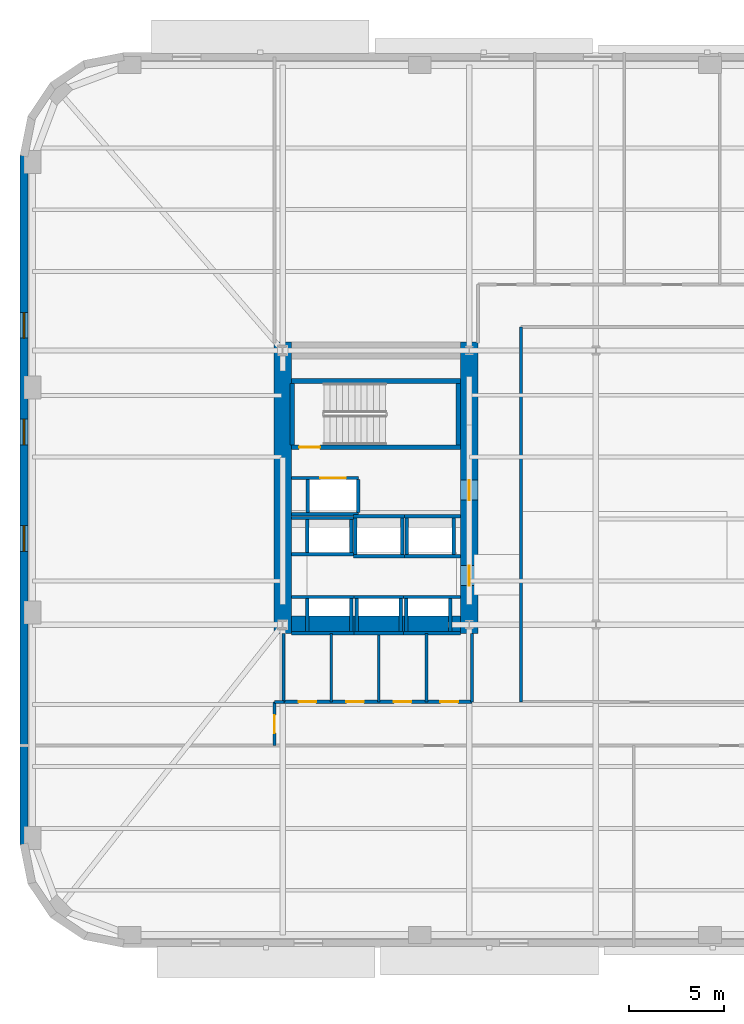
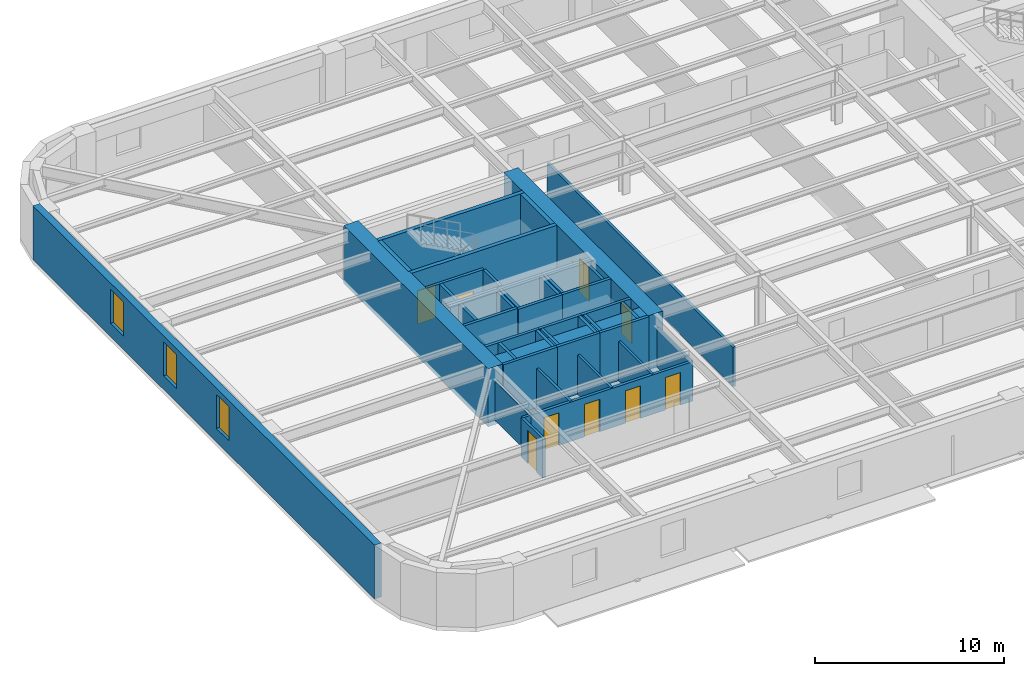
# One storey, part 4 of 15: 45 walls, 9 doors, 3 windows, 12 openings.
"""IFC4 building model written with IfcOpenShell, lengths in metres."""

from ifc_helpers import new_model, si_unit, direction, frame, frame_2d, origin, place, context, subcontext, project, spatial, rectangle, extrude, material, layer, layer_set, type_object, element, fill, save


model = new_model("IFC4")

# Units and contexts
model_context = context("Model", 3, precision=1e-05, world=origin(), true_north=direction((0.0, 1.0)))
body_context = subcontext(model_context, "Body", "Model", "MODEL_VIEW")
ifc_project = project(units=[si_unit("LENGTHUNIT", "METRE"), si_unit("AREAUNIT", "SQUARE_METRE"), si_unit("VOLUMEUNIT", "CUBIC_METRE"), si_unit("PLANEANGLEUNIT", "RADIAN"), si_unit("MASSUNIT", "GRAM", prefix="KILO")], contexts=[model_context])

# Site, building, storey
site_placement = place(None, origin())
site = spatial("IfcSite", under=ifc_project, at=site_placement, CompositionType="ELEMENT")
building_placement = place(site_placement, origin())
building = spatial("IfcBuilding", under=site, at=building_placement, Name="Kolvaren Arena Tower", CompositionType="ELEMENT")
storey_placement = place(building_placement, frame((0.0, 0.0, 68.25)))
storey = spatial("IfcBuildingStorey", under=building, at=storey_placement, Name="L14", CompositionType="ELEMENT", Elevation=68.25)

# Wall
ifc_material_1 = material(Name="Gypsum board acoustic assembly", Category="gypsum")
ifc_layer_1 = layer(ifc_material_1, 0.159912109375)
ifc_layer_set_1 = layer_set([ifc_layer_1], Name="Gypsum board acoustic assembly")
wall_type_1 = type_object("IfcWallType", Name="CORR-160", PredefinedType="PARTITIONING", material=ifc_layer_set_1)
wall_1_placement = place(storey_placement, frame((27.080078125, 15.3798828125, 0.0), z_axis=(0.0, 0.0, 1.0), x_axis=(0.0, 1.0, 0.0)))
element("IfcWall", 1, at=wall_1_placement, inside=storey, type_object=wall_type_1, Name="Interior Partition Wall (L14)", PredefinedType="PARTITIONING", context=body_context, shape_type="SweptSolid", body=[
    extrude(rectangle(XDim=19.7001953125, YDim=0.159912109375, at=frame_2d((9.85009765625, 0.0))), origin(), (0.0, 0.0, 1.0), 2.5400390625),
])

# Wall, opening, door
wall_2_placement = place(storey_placement, frame((14.1201171875, 13.10009765625, 0.0), z_axis=(0.0, 0.0, 1.0), x_axis=(0.0, 1.0, 0.0)))
wall_2 = element("IfcWall", 2, at=wall_2_placement, inside=storey, type_object=wall_type_1, Name="Interior Partition Wall (L14)", PredefinedType="PARTITIONING", context=body_context, shape_type="SweptSolid", body=[
    extrude(rectangle(XDim=2.2998046875, YDim=0.159912109375, at=frame_2d((1.14990234375, 0.0))), origin(), (0.0, 0.0, 1.0), 2.5400390625),
])
opening_1_placement = place(wall_2_placement, frame((0.64990234375, 0.0, 0.0)))
opening_1 = element("IfcOpeningElement", 3, at=opening_1_placement, cuts=wall_2, Name="Opening D05", PredefinedType="OPENING", context=body_context, shape_type="SweptSolid", body=[
    extrude(rectangle(XDim=0.949951171875, YDim=2.14990234375, at=frame_2d((0.47509765625, 1.074951171875))), frame((0.0, 0.08984375, 0.0), z_axis=(0.0, -1.0, 0.0), x_axis=(1.0, 0.0, 0.0)), (0.0, 0.0, 1.0), 0.179931640625),
])
ifc_material_2 = material(Name="Solid-core oak acoustic office door", Category="wood")
door_type_1 = type_object("IfcDoorType", Name="DOOR-OF-095", OperationType="NOTDEFINED", PredefinedType="DOOR", material=ifc_material_2)
door_1_placement = place(opening_1_placement, origin())
door_1 = element("IfcDoor", 4, at=door_1_placement, inside=storey, type_object=door_type_1, Name="West Wing Office Door (L14)", OperationType="SINGLE_SWING_LEFT", OverallHeight=2.14990234375, OverallWidth=0.949951171875, PredefinedType="DOOR", context=body_context, shape_type="SweptSolid", body=[
    extrude(rectangle(XDim=0.949951171875, YDim=2.14990234375, at=frame_2d((0.47509765625, 1.074951171875))), frame((0.0, 0.02490234375, 0.0), z_axis=(0.0, -1.0, 0.0), x_axis=(1.0, 0.0, 0.0)), (0.0, 0.0, 1.0), 0.050048828125),
])
fill(opening_1, door_1)

# Walls
wall_3_placement = place(storey_placement, frame((14.1201171875, 15.39990234375, 0.0), z_axis=(0.0, 0.0, 1.0), x_axis=(1.0, 0.0, 0.0)))
element("IfcWall", 5, at=wall_3_placement, inside=storey, type_object=wall_type_1, Name="Interior Partition Wall (L14)", PredefinedType="PARTITIONING", context=body_context, shape_type="SweptSolid", body=[
    extrude(rectangle(XDim=0.5, YDim=0.159912109375, at=frame_2d((0.25, 0.0))), origin(), (0.0, 0.0, 1.0), 2.5400390625),
])
ifc_material_3 = material(Name="Concrete 80 MPa", Category="concrete")
ifc_layer_2 = layer(ifc_material_3, 0.89990234375)
ifc_layer_set_2 = layer_set([ifc_layer_2], Name="Concrete 80 MPa")
wall_type_2 = type_object("IfcWallType", Name="CWALL-900", PredefinedType="SHEAR", material=ifc_layer_set_2)
wall_4_placement = place(storey_placement, frame((14.550048828125, 19.0, -0.27001953125), z_axis=(0.0, 0.0, 1.0), x_axis=(0.0, 1.0, 0.0)))
element("IfcWall", 6, at=wall_4_placement, inside=storey, type_object=wall_type_2, Name="Core Shear Wall WC-WEST (L14)", PredefinedType="SHEAR", context=body_context, shape_type="SweptSolid", body=[
    extrude(rectangle(XDim=15.300048828125, YDim=0.89990234375, at=frame_2d((7.64990234375, 0.0))), origin(), (0.0, 0.0, 1.0), 3.75),
])

# Wall, openings, doors
wall_5_placement = place(storey_placement, frame((24.35009765625, 19.0, -0.27001953125), z_axis=(0.0, 0.0, 1.0), x_axis=(0.0, 1.0, 0.0)))
wall_5 = element("IfcWall", 7, at=wall_5_placement, inside=storey, type_object=wall_type_2, Name="Core Shear Wall WC-EAST (L14)", PredefinedType="SHEAR", context=body_context, shape_type="SweptSolid", body=[
    extrude(rectangle(XDim=15.300048828125, YDim=0.89990234375, at=frame_2d((7.64990234375, 0.0))), origin(), (0.0, 0.0, 1.0), 3.75),
])
opening_2_placement = place(wall_5_placement, frame((2.5, 0.0, 0.27001953125)))
opening_2 = element("IfcOpeningElement", 8, at=opening_2_placement, cuts=wall_5, Name="Opening D04", PredefinedType="OPENING", context=body_context, shape_type="SweptSolid", body=[
    extrude(rectangle(XDim=1.050048828125, YDim=2.14990234375, at=frame_2d((0.52490234375, 1.074951171875))), frame((0.0, 0.4599609375, 0.0), z_axis=(0.0, -1.0, 0.0), x_axis=(1.0, 0.0, 0.0)), (0.0, 0.0, 1.0), 0.919921875),
])
opening_3_placement = place(wall_5_placement, frame((7.0, 0.0, 0.27001953125)))
opening_3 = element("IfcOpeningElement", 9, at=opening_3_placement, cuts=wall_5, Name="Opening D04", PredefinedType="OPENING", context=body_context, shape_type="SweptSolid", body=[
    extrude(rectangle(XDim=1.050048828125, YDim=2.14990234375, at=frame_2d((0.52490234375, 1.074951171875))), frame((0.0, 0.4599609375, 0.0), z_axis=(0.0, -1.0, 0.0), x_axis=(1.0, 0.0, 0.0)), (0.0, 0.0, 1.0), 0.919921875),
])
ifc_material_4 = material(Name="Fire-rated steel lobby door", Category="steel")
door_type_2 = type_object("IfcDoorType", Name="DOOR-FF-105", OperationType="NOTDEFINED", PredefinedType="DOOR", material=ifc_material_4)
door_2_placement = place(opening_2_placement, origin())
door_2 = element("IfcDoor", 10, at=door_2_placement, inside=storey, type_object=door_type_2, Name="West Lift Lobby Fire Door (L14)", OperationType="SINGLE_SWING_LEFT", OverallHeight=2.14990234375, OverallWidth=1.050048828125, PredefinedType="DOOR", context=body_context, shape_type="SweptSolid", body=[
    extrude(rectangle(XDim=1.050048828125, YDim=2.14990234375, at=frame_2d((0.52490234375, 1.074951171875))), frame((0.0, 0.02490234375, 0.0), z_axis=(0.0, -1.0, 0.0), x_axis=(1.0, 0.0, 0.0)), (0.0, 0.0, 1.0), 0.050048828125),
])
fill(opening_2, door_2)
door_3_placement = place(opening_3_placement, origin())
door_3 = element("IfcDoor", 11, at=door_3_placement, inside=storey, type_object=door_type_2, Name="West Firefighter Vestibule Door (L14)", OperationType="SINGLE_SWING_RIGHT", OverallHeight=2.14990234375, OverallWidth=1.050048828125, PredefinedType="DOOR", context=body_context, shape_type="SweptSolid", body=[
    extrude(rectangle(XDim=1.050048828125, YDim=2.14990234375, at=frame_2d((0.52490234375, 1.074951171875))), frame((0.0, 0.02490234375, 0.0), z_axis=(0.0, -1.0, 0.0), x_axis=(1.0, 0.0, 0.0)), (0.0, 0.0, 1.0), 0.050048828125),
])
fill(opening_3, door_3)

# Wall
wall_6_placement = place(storey_placement, frame((15.0, 19.449951171875, -0.27001953125), z_axis=(0.0, 0.0, 1.0), x_axis=(1.0, 0.0, 0.0)))
element("IfcWall", 12, at=wall_6_placement, inside=storey, type_object=wall_type_2, Name="Core Shear Wall WC-SOUTH (L14)", PredefinedType="SHEAR", context=body_context, shape_type="SweptSolid", body=[
    extrude(rectangle(XDim=8.89990234375, YDim=0.89990234375, at=frame_2d((4.449951171875, 0.0))), origin(), (0.0, 0.0, 1.0), 3.75),
])

# Wall, openings, windows
ifc_material_5 = material(Name="Precast concrete C50/60", Category="concrete")
ifc_layer_3 = layer(ifc_material_5, 0.419921875)
ifc_layer_set_3 = layer_set([ifc_layer_3], Name="Precast concrete C50/60")
wall_type_3 = type_object("IfcWallType", Name="EXT-PIER1", PredefinedType="SOLIDWALL", material=ifc_layer_set_3)
wall_7_placement = place(storey_placement, frame((0.9599609375, 7.89990234375, 0.0), z_axis=(0.0, 0.0, 1.0), x_axis=(0.0, 1.0, 0.0)))
wall_7 = element("IfcWall", 13, at=wall_7_placement, inside=storey, type_object=wall_type_3, Name="Exterior Precast Masonry-Frame Wall (L14)", PredefinedType="SOLIDWALL", context=body_context, shape_type="SweptSolid", body=[
    extrude(rectangle(XDim=36.2001953125, YDim=0.419921875, at=frame_2d((18.10009765625, 0.0))), origin(), (0.0, 0.0, 1.0), 3.47998046875),
])
opening_4_placement = place(wall_7_placement, frame((15.39990234375, 0.0, 0.8798828125)))
opening_4 = element("IfcOpeningElement", 14, at=opening_4_placement, cuts=wall_7, Name="Opening W04", PredefinedType="OPENING", context=body_context, shape_type="SweptSolid", body=[
    extrude(rectangle(XDim=1.35009765625, YDim=2.199951171875, at=frame_2d((0.675048828125, 1.10009765625))), frame((0.0, 0.219970703125, 0.0), z_axis=(0.0, -1.0, 0.0), x_axis=(1.0, 0.0, 0.0)), (0.0, 0.0, 1.0), 0.43994140625),
])
opening_5_placement = place(wall_7_placement, frame((21.0, 0.0, 0.8798828125)))
opening_5 = element("IfcOpeningElement", 15, at=opening_5_placement, cuts=wall_7, Name="Opening W04", PredefinedType="OPENING", context=body_context, shape_type="SweptSolid", body=[
    extrude(rectangle(XDim=1.35009765625, YDim=2.199951171875, at=frame_2d((0.675048828125, 1.10009765625))), frame((0.0, 0.219970703125, 0.0), z_axis=(0.0, -1.0, 0.0), x_axis=(1.0, 0.0, 0.0)), (0.0, 0.0, 1.0), 0.43994140625),
])
opening_6_placement = place(wall_7_placement, frame((26.60009765625, 0.0, 0.8798828125)))
opening_6 = element("IfcOpeningElement", 16, at=opening_6_placement, cuts=wall_7, Name="Opening W04", PredefinedType="OPENING", context=body_context, shape_type="SweptSolid", body=[
    extrude(rectangle(XDim=1.35009765625, YDim=2.199951171875, at=frame_2d((0.675048828125, 1.10009765625))), frame((0.0, 0.219970703125, 0.0), z_axis=(0.0, -1.0, 0.0), x_axis=(1.0, 0.0, 0.0)), (0.0, 0.0, 1.0), 0.43994140625),
])
ifc_material_6 = material(Name="Triple-glazed curved-facet corner window", Category="glass")
window_type = type_object("IfcWindowType", Name="WIN-CRN-A", PartitioningType="SINGLE_PANEL", PredefinedType="WINDOW", material=ifc_material_6)
window_1_placement = place(opening_4_placement, origin())
window_1 = element("IfcWindow", 17, at=window_1_placement, inside=storey, type_object=window_type, Name="End-Wall Punched Window (L14)", OverallHeight=2.199951171875, OverallWidth=1.35009765625, PartitioningType="SINGLE_PANEL", PredefinedType="WINDOW", context=body_context, shape_type="SweptSolid", body=[
    extrude(rectangle(XDim=1.35009765625, YDim=2.199951171875, at=frame_2d((0.675048828125, 1.10009765625))), frame((0.0, 0.030029296875, 0.0), z_axis=(0.0, -1.0, 0.0), x_axis=(1.0, 0.0, 0.0)), (0.0, 0.0, 1.0), 0.06005859375),
])
fill(opening_4, window_1)
window_2_placement = place(opening_5_placement, origin())
window_2 = element("IfcWindow", 18, at=window_2_placement, inside=storey, type_object=window_type, Name="End-Wall Punched Window (L14)", OverallHeight=2.199951171875, OverallWidth=1.35009765625, PartitioningType="SINGLE_PANEL", PredefinedType="WINDOW", context=body_context, shape_type="SweptSolid", body=[
    extrude(rectangle(XDim=1.35009765625, YDim=2.199951171875, at=frame_2d((0.675048828125, 1.10009765625))), frame((0.0, 0.030029296875, 0.0), z_axis=(0.0, -1.0, 0.0), x_axis=(1.0, 0.0, 0.0)), (0.0, 0.0, 1.0), 0.06005859375),
])
fill(opening_5, window_2)
window_3_placement = place(opening_6_placement, origin())
window_3 = element("IfcWindow", 19, at=window_3_placement, inside=storey, type_object=window_type, Name="End-Wall Punched Window (L14)", OverallHeight=2.199951171875, OverallWidth=1.35009765625, PartitioningType="SINGLE_PANEL", PredefinedType="WINDOW", context=body_context, shape_type="SweptSolid", body=[
    extrude(rectangle(XDim=1.35009765625, YDim=2.199951171875, at=frame_2d((0.675048828125, 1.10009765625))), frame((0.0, 0.030029296875, 0.0), z_axis=(0.0, -1.0, 0.0), x_axis=(1.0, 0.0, 0.0)), (0.0, 0.0, 1.0), 0.06005859375),
])
fill(opening_6, window_3)

# Wall, opening, door
ifc_material_7 = material(Name="Concrete 45 MPa", Category="concrete")
ifc_layer_4 = layer(ifc_material_7, 0.25)
ifc_layer_set_4 = layer_set([ifc_layer_4], Name="Concrete 45 MPa")
wall_type_4 = type_object("IfcWallType", Name="SHAFT-250", PredefinedType="SOLIDWALL", material=ifc_layer_set_4)
wall_8_placement = place(storey_placement, frame((23.89990234375, 28.780029296875, 0.0), z_axis=(0.0, 0.0, 1.0), x_axis=(-1.0, 0.0, 0.0)))
wall_8 = element("IfcWall", 20, at=wall_8_placement, inside=storey, type_object=wall_type_4, Name="Core Shaft Wall (L14)", PredefinedType="SOLIDWALL", context=body_context, shape_type="SweptSolid", body=[
    extrude(rectangle(XDim=8.89990234375, YDim=0.239990234375, at=frame_2d((4.449951171875, 0.0))), origin(), (0.0, 0.0, 1.0), 3.47998046875),
])
opening_7_placement = place(wall_8_placement, frame((7.3798828125, 0.0, 0.0)))
opening_7 = element("IfcOpeningElement", 21, at=opening_7_placement, cuts=wall_8, Name="Opening D03", PredefinedType="OPENING", context=body_context, shape_type="SweptSolid", body=[
    extrude(rectangle(XDim=1.10009765625, YDim=2.14990234375, at=frame_2d((0.550048828125, 1.074951171875))), frame((0.0, 0.1298828125, 0.0), z_axis=(0.0, -1.0, 0.0), x_axis=(1.0, 0.0, 0.0)), (0.0, 0.0, 1.0), 0.260009765625),
])
ifc_material_8 = material(Name="Fire-rated steel exit stair door", Category="steel")
door_type_3 = type_object("IfcDoorType", Name="DOOR-ST-110", OperationType="NOTDEFINED", PredefinedType="DOOR", material=ifc_material_8)
door_4_placement = place(opening_7_placement, origin())
door_4 = element("IfcDoor", 22, at=door_4_placement, inside=storey, type_object=door_type_3, Name="Stair ST-W1 Fire Door (L14)", OperationType="SINGLE_SWING_RIGHT", OverallHeight=2.14990234375, OverallWidth=1.10009765625, PredefinedType="DOOR", context=body_context, shape_type="SweptSolid", body=[
    extrude(rectangle(XDim=1.10009765625, YDim=2.14990234375, at=frame_2d((0.550048828125, 1.074951171875))), frame((0.0, 0.02490234375, 0.0), z_axis=(0.0, -1.0, 0.0), x_axis=(1.0, 0.0, 0.0)), (0.0, 0.0, 1.0), 0.050048828125),
])
fill(opening_7, door_4)

# Walls
wall_9_placement = place(storey_placement, frame((15.0, 32.25, 0.0), z_axis=(0.0, 0.0, 1.0), x_axis=(1.0, 0.0, 0.0)))
element("IfcWall", 23, at=wall_9_placement, inside=storey, type_object=wall_type_4, Name="Core Shaft Wall (L14)", PredefinedType="SOLIDWALL", context=body_context, shape_type="SweptSolid", body=[
    extrude(rectangle(XDim=8.89990234375, YDim=0.239990234375, at=frame_2d((4.449951171875, 0.0))), origin(), (0.0, 0.0, 1.0), 3.47998046875),
])
for number, where, z_axis, x_axis, name in (
    (24, (15.06005859375, 28.89990234375, 0.0), (0.0, 0.0, 1.0), (0.0, 1.0, 0.0), "Core Shaft Wall (L14)"),
    (25, (23.780029296875, 28.89990234375, 0.0), (0.0, 0.0, 1.0), (0.0, 1.0, 0.0), "Core Shaft Wall (L14)"),
):
    element("IfcWall", number, at=place(storey_placement, frame(where, z_axis=z_axis, x_axis=x_axis)), inside=storey, type_object=wall_type_4, Name=name, PredefinedType="SOLIDWALL", context=body_context, shape_type="SweptSolid", body=[
        extrude(rectangle(XDim=3.22998046875, YDim=0.239990234375, at=frame_2d((1.614990234375, 0.0))), origin(), (0.0, 0.0, 1.0), 3.47998046875),
    ])
for number, where, z_axis, x_axis, name in (
    (26, (15.0, 20.905029296875, 0.0), (0.0, 0.0, 1.0), (1.0, 0.0, 0.0), "Core Shaft Wall (L14)"),
    (27, (15.0, 18.9951171875, 0.0), (0.0, 0.0, 1.0), (1.0, 0.0, 0.0), "Core Shaft Wall (L14)"),
):
    element("IfcWall", number, at=place(storey_placement, frame(where, z_axis=z_axis, x_axis=x_axis)), inside=storey, type_object=wall_type_4, Name=name, PredefinedType="SOLIDWALL", context=body_context, shape_type="SweptSolid", body=[
        extrude(rectangle(XDim=3.300048828125, YDim=0.179931640625, at=frame_2d((1.64990234375, 0.0))), origin(), (0.0, 0.0, 1.0), 3.47998046875),
    ])
for number, where, z_axis, x_axis, name in (
    (28, (15.844970703125, 19.0849609375, 0.0), (0.0, 0.0, 1.0), (0.0, 1.0, 0.0), "Core Shaft Wall (L14)"),
    (29, (18.155029296875, 19.0849609375, 0.0), (0.0, 0.0, 1.0), (0.0, 1.0, 0.0), "Core Shaft Wall (L14)"),
):
    element("IfcWall", number, at=place(storey_placement, frame(where, z_axis=z_axis, x_axis=x_axis)), inside=storey, type_object=wall_type_4, Name=name, PredefinedType="SOLIDWALL", context=body_context, shape_type="SweptSolid", body=[
        extrude(rectangle(XDim=1.72998046875, YDim=0.179931640625, at=frame_2d((0.864990234375, 0.0))), origin(), (0.0, 0.0, 1.0), 3.47998046875),
    ])
for number, where, z_axis, x_axis, name in (
    (30, (18.300048828125, 20.905029296875, 0.0), (0.0, 0.0, 1.0), (1.0, 0.0, 0.0), "Core Shaft Wall (L14)"),
    (31, (18.300048828125, 18.9951171875, 0.0), (0.0, 0.0, 1.0), (1.0, 0.0, 0.0), "Core Shaft Wall (L14)"),
):
    element("IfcWall", number, at=place(storey_placement, frame(where, z_axis=z_axis, x_axis=x_axis)), inside=storey, type_object=wall_type_4, Name=name, PredefinedType="SOLIDWALL", context=body_context, shape_type="SweptSolid", body=[
        extrude(rectangle(XDim=2.599853515625, YDim=0.179931640625, at=frame_2d((1.2998046875, 0.0))), origin(), (0.0, 0.0, 1.0), 3.47998046875),
    ])
for number, where, z_axis, x_axis, name in (
    (32, (18.445068359375, 19.0849609375, 0.0), (0.0, 0.0, 1.0), (0.0, 1.0, 0.0), "Core Shaft Wall (L14)"),
    (33, (20.7548828125, 19.0849609375, 0.0), (0.0, 0.0, 1.0), (0.0, 1.0, 0.0), "Core Shaft Wall (L14)"),
):
    element("IfcWall", number, at=place(storey_placement, frame(where, z_axis=z_axis, x_axis=x_axis)), inside=storey, type_object=wall_type_4, Name=name, PredefinedType="SOLIDWALL", context=body_context, shape_type="SweptSolid", body=[
        extrude(rectangle(XDim=1.72998046875, YDim=0.179931640625, at=frame_2d((0.864990234375, 0.0))), origin(), (0.0, 0.0, 1.0), 3.47998046875),
    ])
for number, where, z_axis, x_axis, name in (
    (34, (20.89990234375, 20.905029296875, 0.0), (0.0, 0.0, 1.0), (1.0, 0.0, 0.0), "Core Shaft Wall (L14)"),
    (35, (20.89990234375, 18.9951171875, 0.0), (0.0, 0.0, 1.0), (1.0, 0.0, 0.0), "Core Shaft Wall (L14)"),
):
    element("IfcWall", number, at=place(storey_placement, frame(where, z_axis=z_axis, x_axis=x_axis)), inside=storey, type_object=wall_type_4, Name=name, PredefinedType="SOLIDWALL", context=body_context, shape_type="SweptSolid", body=[
        extrude(rectangle(XDim=3.0, YDim=0.179931640625, at=frame_2d((1.5, 0.0))), origin(), (0.0, 0.0, 1.0), 3.47998046875),
    ])
for number, where, z_axis, x_axis, name in (
    (36, (21.044921875, 19.0849609375, 0.0), (0.0, 0.0, 1.0), (0.0, 1.0, 0.0), "Core Shaft Wall (L14)"),
    (37, (23.35498046875, 19.0849609375, 0.0), (0.0, 0.0, 1.0), (0.0, 1.0, 0.0), "Core Shaft Wall (L14)"),
):
    element("IfcWall", number, at=place(storey_placement, frame(where, z_axis=z_axis, x_axis=x_axis)), inside=storey, type_object=wall_type_4, Name=name, PredefinedType="SOLIDWALL", context=body_context, shape_type="SweptSolid", body=[
        extrude(rectangle(XDim=1.72998046875, YDim=0.179931640625, at=frame_2d((0.864990234375, 0.0))), origin(), (0.0, 0.0, 1.0), 3.47998046875),
    ])
for number, where, z_axis, x_axis, name in (
    (38, (15.0, 25.054931640625, 0.0), (0.0, 0.0, 1.0), (1.0, 0.0, 0.0), "Core Shaft Wall (L14)"),
    (39, (15.0, 23.14501953125, 0.0), (0.0, 0.0, 1.0), (1.0, 0.0, 0.0), "Core Shaft Wall (L14)"),
):
    element("IfcWall", number, at=place(storey_placement, frame(where, z_axis=z_axis, x_axis=x_axis)), inside=storey, type_object=wall_type_4, Name=name, PredefinedType="SOLIDWALL", context=body_context, shape_type="SweptSolid", body=[
        extrude(rectangle(XDim=3.262451171875, YDim=0.179931640625, at=frame_2d((1.63134765625, 0.0))), origin(), (0.0, 0.0, 1.0), 3.47998046875),
    ])
for number, where, z_axis, x_axis, name in (
    (40, (15.844970703125, 23.235107421875, 0.0), (0.0, 0.0, 1.0), (0.0, 1.0, 0.0), "Core Shaft Wall (L14)"),
    (41, (18.155029296875, 23.235107421875, 0.0), (0.0, 0.0, 1.0), (0.0, 1.0, 0.0), "Core Shaft Wall (L14)"),
):
    element("IfcWall", number, at=place(storey_placement, frame(where, z_axis=z_axis, x_axis=x_axis)), inside=storey, type_object=wall_type_4, Name=name, PredefinedType="SOLIDWALL", context=body_context, shape_type="SweptSolid", body=[
        extrude(rectangle(XDim=1.72998046875, YDim=0.179931640625, at=frame_2d((0.864990234375, 0.0))), origin(), (0.0, 0.0, 1.0), 3.47998046875),
    ])
for number, where, z_axis, x_axis, name in (
    (42, (18.262451171875, 25.155029296875, 0.0), (0.0, 0.0, 1.0), (1.0, 0.0, 0.0), "Core Shaft Wall (L14)"),
    (43, (18.262451171875, 23.044921875, 0.0), (0.0, 0.0, 1.0), (1.0, 0.0, 0.0), "Core Shaft Wall (L14)"),
):
    element("IfcWall", number, at=place(storey_placement, frame(where, z_axis=z_axis, x_axis=x_axis)), inside=storey, type_object=wall_type_4, Name=name, PredefinedType="SOLIDWALL", context=body_context, shape_type="SweptSolid", body=[
        extrude(rectangle(XDim=2.6875, YDim=0.179931640625, at=frame_2d((1.34375, 0.0))), origin(), (0.0, 0.0, 1.0), 3.47998046875),
    ])
for number, where, z_axis, x_axis, name in (
    (44, (18.3701171875, 23.135009765625, 0.0), (0.0, 0.0, 1.0), (0.0, 1.0, 0.0), "Core Shaft Wall (L14)"),
    (45, (20.830078125, 23.135009765625, 0.0), (0.0, 0.0, 1.0), (0.0, 1.0, 0.0), "Core Shaft Wall (L14)"),
):
    element("IfcWall", number, at=place(storey_placement, frame(where, z_axis=z_axis, x_axis=x_axis)), inside=storey, type_object=wall_type_4, Name=name, PredefinedType="SOLIDWALL", context=body_context, shape_type="SweptSolid", body=[
        extrude(rectangle(XDim=1.929931640625, YDim=0.179931640625, at=frame_2d((0.96484375, 0.0))), origin(), (0.0, 0.0, 1.0), 3.47998046875),
    ])
for number, where, z_axis, x_axis, name in (
    (46, (20.949951171875, 25.155029296875, 0.0), (0.0, 0.0, 1.0), (1.0, 0.0, 0.0), "Core Shaft Wall (L14)"),
    (47, (20.949951171875, 23.044921875, 0.0), (0.0, 0.0, 1.0), (1.0, 0.0, 0.0), "Core Shaft Wall (L14)"),
):
    element("IfcWall", number, at=place(storey_placement, frame(where, z_axis=z_axis, x_axis=x_axis)), inside=storey, type_object=wall_type_4, Name=name, PredefinedType="SOLIDWALL", context=body_context, shape_type="SweptSolid", body=[
        extrude(rectangle(XDim=2.949951171875, YDim=0.179931640625, at=frame_2d((1.47509765625, 0.0))), origin(), (0.0, 0.0, 1.0), 3.47998046875),
    ])
for number, where, z_axis, x_axis, name in (
    (48, (21.070068359375, 23.135009765625, 0.0), (0.0, 0.0, 1.0), (0.0, 1.0, 0.0), "Core Shaft Wall (L14)"),
    (49, (23.530029296875, 23.135009765625, 0.0), (0.0, 0.0, 1.0), (0.0, 1.0, 0.0), "Core Shaft Wall (L14)"),
):
    element("IfcWall", number, at=place(storey_placement, frame(where, z_axis=z_axis, x_axis=x_axis)), inside=storey, type_object=wall_type_4, Name=name, PredefinedType="SOLIDWALL", context=body_context, shape_type="SweptSolid", body=[
        extrude(rectangle(XDim=1.929931640625, YDim=0.179931640625, at=frame_2d((0.96484375, 0.0))), origin(), (0.0, 0.0, 1.0), 3.47998046875),
    ])

# Wall, opening, door
wall_10_placement = place(storey_placement, frame((15.0, 27.155029296875, 0.0), z_axis=(0.0, 0.0, 1.0), x_axis=(1.0, 0.0, 0.0)))
wall_10 = element("IfcWall", 50, at=wall_10_placement, inside=storey, type_object=wall_type_4, Name="Core Shaft Wall (L14)", PredefinedType="SOLIDWALL", context=body_context, shape_type="SweptSolid", body=[
    extrude(rectangle(XDim=3.530029296875, YDim=0.179931640625, at=frame_2d((1.76513671875, 0.0))), origin(), (0.0, 0.0, 1.0), 3.47998046875),
])
opening_8_placement = place(wall_10_placement, frame((1.52490234375, 0.0, 0.0)))
opening_8 = element("IfcOpeningElement", 51, at=opening_8_placement, cuts=wall_10, Name="Opening LD2", PredefinedType="OPENING", context=body_context, shape_type="SweptSolid", body=[
    extrude(rectangle(XDim=1.35009765625, YDim=2.300048828125, at=frame_2d((0.675048828125, 1.14990234375))), frame((0.0, 0.099853515625, 0.0), z_axis=(0.0, -1.0, 0.0), x_axis=(1.0, 0.0, 0.0)), (0.0, 0.0, 1.0), 0.199951171875),
])
ifc_material_9 = material(Name="Stainless steel firefighter lift landing door", Category="steel")
door_type_4 = type_object("IfcDoorType", Name="DOOR-LD-135", OperationType="DOUBLE_DOOR_SLIDING", PredefinedType="DOOR", material=ifc_material_9)
door_5_placement = place(opening_8_placement, origin())
door_5 = element("IfcDoor", 52, at=door_5_placement, inside=storey, type_object=door_type_4, Name="Firefighter Lift FF-W1 Landing Door (L14)", OperationType="DOUBLE_DOOR_SLIDING", OverallHeight=2.300048828125, OverallWidth=1.35009765625, PredefinedType="DOOR", context=body_context, shape_type="SweptSolid", body=[
    extrude(rectangle(XDim=1.35009765625, YDim=2.300048828125, at=frame_2d((0.675048828125, 1.14990234375))), frame((0.0, 0.02490234375, 0.0), z_axis=(0.0, -1.0, 0.0), x_axis=(1.0, 0.0, 0.0)), (0.0, 0.0, 1.0), 0.050048828125),
])
fill(opening_8, door_5)

# Walls
wall_11_placement = place(storey_placement, frame((15.0, 25.2451171875, 0.0), z_axis=(0.0, 0.0, 1.0), x_axis=(1.0, 0.0, 0.0)))
element("IfcWall", 53, at=wall_11_placement, inside=storey, type_object=wall_type_4, Name="Core Shaft Wall (L14)", PredefinedType="SOLIDWALL", context=body_context, shape_type="SweptSolid", body=[
    extrude(rectangle(XDim=3.530029296875, YDim=0.179931640625, at=frame_2d((1.76513671875, 0.0))), origin(), (0.0, 0.0, 1.0), 3.47998046875),
])
for number, where, z_axis, x_axis, name in (
    (54, (15.8701171875, 25.3349609375, 0.0), (0.0, 0.0, 1.0), (0.0, 1.0, 0.0), "Core Shaft Wall (L14)"),
    (55, (18.530029296875, 25.3349609375, 0.0), (0.0, 0.0, 1.0), (0.0, 1.0, 0.0), "Core Shaft Wall (L14)"),
):
    element("IfcWall", number, at=place(storey_placement, frame(where, z_axis=z_axis, x_axis=x_axis)), inside=storey, type_object=wall_type_4, Name=name, PredefinedType="SOLIDWALL", context=body_context, shape_type="SweptSolid", body=[
        extrude(rectangle(XDim=1.72998046875, YDim=0.179931640625, at=frame_2d((0.864990234375, 0.0))), origin(), (0.0, 0.0, 1.0), 3.47998046875),
    ])
ifc_material_10 = material(Name="Moisture-resistant gypsum assembly", Category="gypsum")
ifc_layer_5 = layer(ifc_material_10, 0.14990234375)
ifc_layer_set_5 = layer_set([ifc_layer_5], Name="Moisture-resistant gypsum assembly")
wall_type_5 = type_object("IfcWallType", Name="WETW-150", PredefinedType="PARTITIONING", material=ifc_layer_set_5)
for number, where, z_axis, x_axis, name in (
    (56, (17.10009765625, 15.39990234375, 0.0), (0.0, 0.0, 1.0), (0.0, 1.0, 0.0), "Interior Partition Wall (L14)"),
    (57, (19.60009765625, 15.39990234375, 0.0), (0.0, 0.0, 1.0), (0.0, 1.0, 0.0), "Interior Partition Wall (L14)"),
    (58, (22.10009765625, 15.39990234375, 0.0), (0.0, 0.0, 1.0), (0.0, 1.0, 0.0), "Interior Partition Wall (L14)"),
):
    element("IfcWall", number, at=place(storey_placement, frame(where, z_axis=z_axis, x_axis=x_axis)), inside=storey, type_object=wall_type_5, Name=name, PredefinedType="PARTITIONING", context=body_context, shape_type="SweptSolid", body=[
        extrude(rectangle(XDim=3.580078125, YDim=0.14990234375, at=frame_2d((1.7900390625, 0.0))), origin(), (0.0, 0.0, 1.0), 2.5400390625),
    ])

# Wall, openings, doors
wall_12_placement = place(storey_placement, frame((14.60009765625, 15.39990234375, 0.0), z_axis=(0.0, 0.0, 1.0), x_axis=(1.0, 0.0, 0.0)))
wall_12 = element("IfcWall", 59, at=wall_12_placement, inside=storey, type_object=wall_type_5, Name="Interior Partition Wall (L14)", PredefinedType="PARTITIONING", context=body_context, shape_type="SweptSolid", body=[
    extrude(rectangle(XDim=9.89990234375, YDim=0.179931640625, at=frame_2d((4.949951171875, 0.0))), origin(), (0.0, 0.0, 1.0), 2.5400390625),
])
opening_9_placement = place(wall_12_placement, frame((0.7900390625, 0.0, 0.0)))
opening_9 = element("IfcOpeningElement", 60, at=opening_9_placement, cuts=wall_12, Name="Opening D07", PredefinedType="OPENING", context=body_context, shape_type="SweptSolid", body=[
    extrude(rectangle(XDim=0.919921875, YDim=2.10009765625, at=frame_2d((0.4599609375, 1.050048828125))), frame((0.0, 0.099853515625, 0.0), z_axis=(0.0, -1.0, 0.0), x_axis=(1.0, 0.0, 0.0)), (0.0, 0.0, 1.0), 0.199951171875),
])
opening_10_placement = place(wall_12_placement, frame((3.2900390625, 0.0, 0.0)))
opening_10 = element("IfcOpeningElement", 61, at=opening_10_placement, cuts=wall_12, Name="Opening D07", PredefinedType="OPENING", context=body_context, shape_type="SweptSolid", body=[
    extrude(rectangle(XDim=0.919921875, YDim=2.10009765625, at=frame_2d((0.4599609375, 1.050048828125))), frame((0.0, 0.099853515625, 0.0), z_axis=(0.0, -1.0, 0.0), x_axis=(1.0, 0.0, 0.0)), (0.0, 0.0, 1.0), 0.199951171875),
])
opening_11_placement = place(wall_12_placement, frame((5.7900390625, 0.0, 0.0)))
opening_11 = element("IfcOpeningElement", 62, at=opening_11_placement, cuts=wall_12, Name="Opening D07", PredefinedType="OPENING", context=body_context, shape_type="SweptSolid", body=[
    extrude(rectangle(XDim=0.919921875, YDim=2.10009765625, at=frame_2d((0.4599609375, 1.050048828125))), frame((0.0, 0.099853515625, 0.0), z_axis=(0.0, -1.0, 0.0), x_axis=(1.0, 0.0, 0.0)), (0.0, 0.0, 1.0), 0.199951171875),
])
opening_12_placement = place(wall_12_placement, frame((8.239990234375, 0.0, 0.0)))
opening_12 = element("IfcOpeningElement", 63, at=opening_12_placement, cuts=wall_12, Name="Opening D07", PredefinedType="OPENING", context=body_context, shape_type="SweptSolid", body=[
    extrude(rectangle(XDim=0.919921875, YDim=2.10009765625, at=frame_2d((0.4599609375, 1.050048828125))), frame((0.0, 0.099853515625, 0.0), z_axis=(0.0, -1.0, 0.0), x_axis=(1.0, 0.0, 0.0)), (0.0, 0.0, 1.0), 0.199951171875),
])
ifc_material_11 = material(Name="Laminate universal washroom door", Category="wood")
door_type_5 = type_object("IfcDoorType", Name="DOOR-WC-092", OperationType="NOTDEFINED", PredefinedType="DOOR", material=ifc_material_11)
door_6_placement = place(opening_9_placement, origin())
door_6 = element("IfcDoor", 64, at=door_6_placement, inside=storey, type_object=door_type_5, Name="Women Restroom Door (L14)", OperationType="SINGLE_SWING_RIGHT", OverallHeight=2.10009765625, OverallWidth=0.919921875, PredefinedType="DOOR", context=body_context, shape_type="SweptSolid", body=[
    extrude(rectangle(XDim=0.919921875, YDim=2.10009765625, at=frame_2d((0.4599609375, 1.050048828125))), frame((0.0, 0.02490234375, 0.0), z_axis=(0.0, -1.0, 0.0), x_axis=(1.0, 0.0, 0.0)), (0.0, 0.0, 1.0), 0.050048828125),
])
fill(opening_9, door_6)
door_7_placement = place(opening_10_placement, origin())
door_7 = element("IfcDoor", 65, at=door_7_placement, inside=storey, type_object=door_type_5, Name="Men Restroom Door (L14)", OperationType="SINGLE_SWING_LEFT", OverallHeight=2.10009765625, OverallWidth=0.919921875, PredefinedType="DOOR", context=body_context, shape_type="SweptSolid", body=[
    extrude(rectangle(XDim=0.919921875, YDim=2.10009765625, at=frame_2d((0.4599609375, 1.050048828125))), frame((0.0, 0.02490234375, 0.0), z_axis=(0.0, -1.0, 0.0), x_axis=(1.0, 0.0, 0.0)), (0.0, 0.0, 1.0), 0.050048828125),
])
fill(opening_10, door_7)
door_8_placement = place(opening_11_placement, origin())
door_8 = element("IfcDoor", 66, at=door_8_placement, inside=storey, type_object=door_type_5, Name="Universal Barrier-Free Washroom Door (L14)", OperationType="SINGLE_SWING_RIGHT", OverallHeight=2.10009765625, OverallWidth=0.919921875, PredefinedType="DOOR", context=body_context, shape_type="SweptSolid", body=[
    extrude(rectangle(XDim=0.919921875, YDim=2.10009765625, at=frame_2d((0.4599609375, 1.050048828125))), frame((0.0, 0.02490234375, 0.0), z_axis=(0.0, -1.0, 0.0), x_axis=(1.0, 0.0, 0.0)), (0.0, 0.0, 1.0), 0.050048828125),
])
fill(opening_11, door_8)
door_9_placement = place(opening_12_placement, origin())
door_9 = element("IfcDoor", 67, at=door_9_placement, inside=storey, type_object=door_type_5, Name="Linen Store Door (L14)", OperationType="SINGLE_SWING_LEFT", OverallHeight=2.10009765625, OverallWidth=0.919921875, PredefinedType="DOOR", context=body_context, shape_type="SweptSolid", body=[
    extrude(rectangle(XDim=0.919921875, YDim=2.10009765625, at=frame_2d((0.4599609375, 1.050048828125))), frame((0.0, 0.02490234375, 0.0), z_axis=(0.0, -1.0, 0.0), x_axis=(1.0, 0.0, 0.0)), (0.0, 0.0, 1.0), 0.050048828125),
])
fill(opening_12, door_9)

# Walls
for number, where, z_axis, x_axis, name in (
    (68, (14.60009765625, 15.39990234375, 0.0), (0.0, 0.0, 1.0), (0.0, 1.0, 0.0), "Interior Partition Wall (L14)"),
    (69, (24.5, 15.39990234375, 0.0), (0.0, 0.0, 1.0), (0.0, 1.0, 0.0), "Interior Partition Wall (L14)"),
):
    element("IfcWall", number, at=place(storey_placement, frame(where, z_axis=z_axis, x_axis=x_axis)), inside=storey, type_object=wall_type_5, Name=name, PredefinedType="PARTITIONING", context=body_context, shape_type="SweptSolid", body=[
        extrude(rectangle(XDim=3.580078125, YDim=0.14990234375, at=frame_2d((1.7900390625, 0.0))), origin(), (0.0, 0.0, 1.0), 2.5400390625),
    ])

save(model, "model.ifc")
